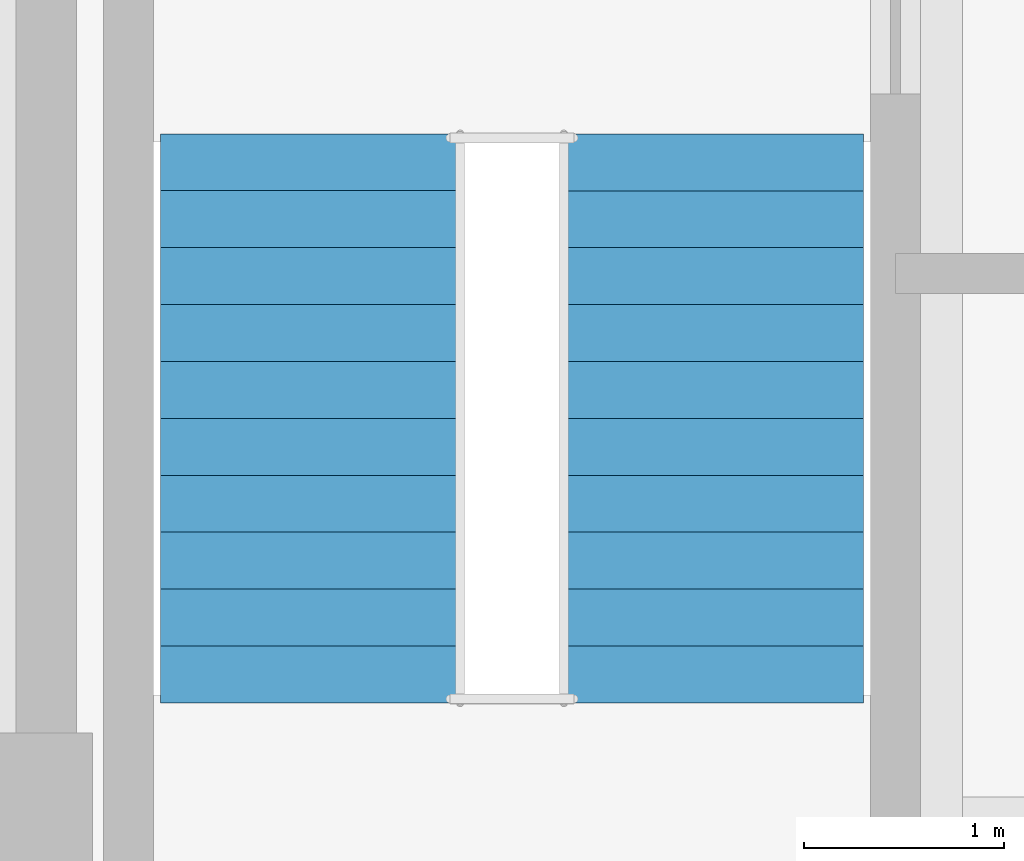
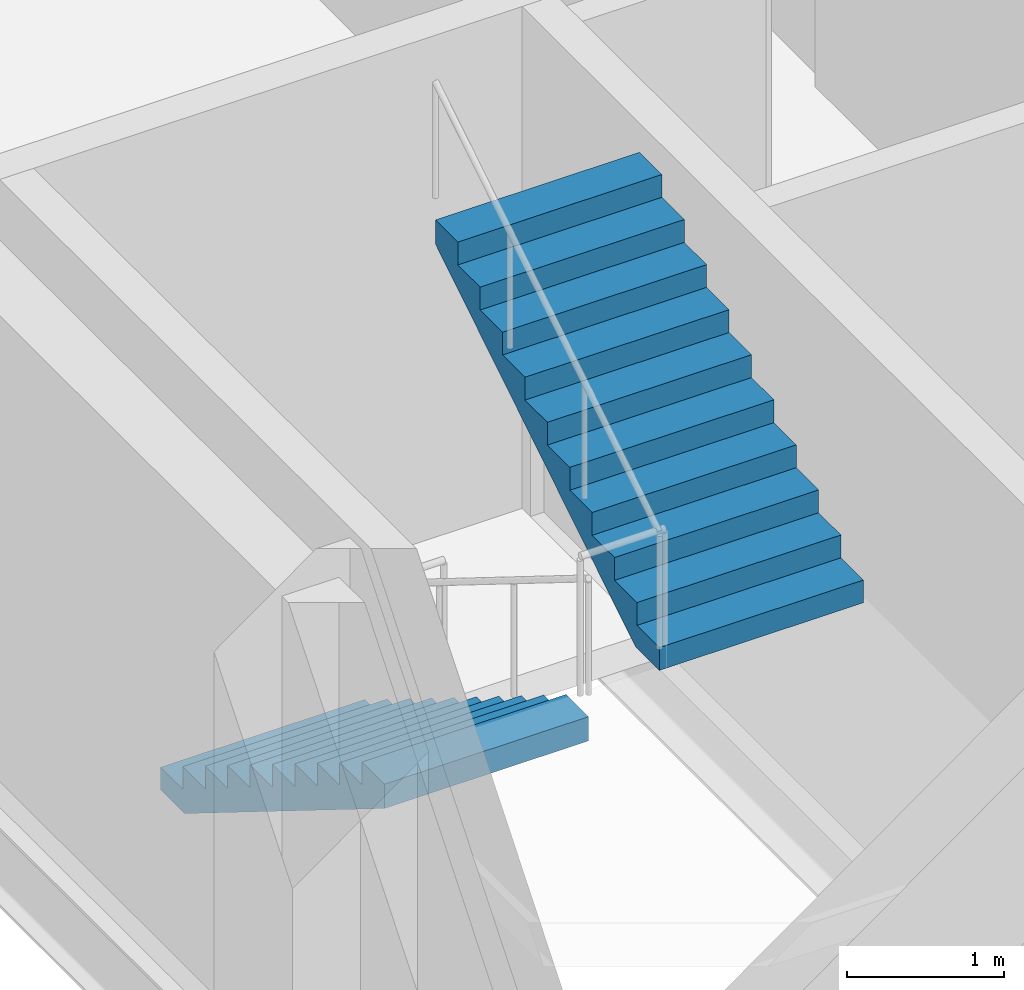
# One storey, part 6 of 7: 2 stair flights, 1 element without a shape of its own.
"""IFC4 building model written with IfcOpenShell, lengths in metres."""

from ifc_helpers import new_model, si_unit, direction, frame, origin, place, context, subcontext, project, spatial, polyline, outline, extrude, material, type_object, element, aggregate, save


model = new_model("IFC4")

# Units and contexts
model_context = context("Model", 3, precision=1e-05, world=origin(), true_north=direction((0.0, 1.0)))
body_context = subcontext(model_context, "Body", "Model", "MODEL_VIEW")
ifc_project = project(units=[si_unit("LENGTHUNIT", "METRE"), si_unit("AREAUNIT", "SQUARE_METRE"), si_unit("VOLUMEUNIT", "CUBIC_METRE"), si_unit("PLANEANGLEUNIT", "RADIAN"), si_unit("MASSUNIT", "GRAM", prefix="KILO")], contexts=[model_context])

# Site, building, storey
site_placement = place(None, origin())
site = spatial("IfcSite", under=ifc_project, at=site_placement, CompositionType="ELEMENT")
building_placement = place(site_placement, origin())
building = spatial("IfcBuilding", under=site, at=building_placement, Name="Mawjdan Bourse Tower", CompositionType="ELEMENT")
storey_placement = place(building_placement, frame((0.0, 0.0, 151.800048828125)))
storey = spatial("IfcBuildingStorey", under=building, at=storey_placement, Name="L36", CompositionType="ELEMENT", Elevation=151.800048828125)

# Stair, stair flights
ifc_material = material(Name="Concrete C50/60", Category="concrete")
stair_type = type_object("IfcStairType", Name="STR-CORE-1500", PredefinedType="HALF_TURN_STAIR", material=ifc_material)
stair_placement = place(storey_placement, origin())
stair = element("IfcStair", 1, at=stair_placement, inside=storey, type_object=stair_type, Name="L36 Exit Stair 3 (North Wing)", PredefinedType="HALF_TURN_STAIR")
stair_flight_type = type_object("IfcStairFlightType", Name="SFL-RC-1500", PredefinedType="STRAIGHT", material=ifc_material)
stair_flight_1_placement = place(storey_placement, frame((7.590087890625, 27.5, 0.0), z_axis=(0.0, 0.0, 1.0), x_axis=(0.0, -1.0, 0.0)))
stair_flight_1 = element("IfcStairFlight", 2, at=stair_flight_1_placement, type_object=stair_flight_type, Name="ST3-L36 flight 1", NumberOfRisers=11, NumberOfTreads=10, PredefinedType="STRAIGHT", RiserHeight=0.177273, TreadLength=0.285, context=body_context, shape_type="SweptSolid", body=[
    extrude(outline(polyline([(0.0, 0.0), (0.0, 0.17724609375), (0.284912109375, 0.17724609375), (0.284912109375, 0.3544921875), (0.570068359375, 0.3544921875), (0.570068359375, 0.53173828125), (0.85498046875, 0.53173828125), (0.85498046875, 0.708984375), (1.139892578125, 0.708984375), (1.139892578125, 0.886474609375), (1.425048828125, 0.886474609375), (1.425048828125, 1.063720703125), (1.7099609375, 1.063720703125), (1.7099609375, 1.240966796875), (1.9951171875, 1.240966796875), (1.9951171875, 1.418212890625), (2.280029296875, 1.418212890625), (2.280029296875, 1.595458984375), (2.56494140625, 1.595458984375), (2.56494140625, 1.772705078125), (2.85009765625, 1.772705078125), (2.85009765625, 1.949951171875), (2.85009765625, 1.58447265625), (0.302734375, 0.0), (0.0, 0.0)])), frame((0.0, 0.75, 0.0), z_axis=(0.0, -1.0, 0.0), x_axis=(1.0, 0.0, 0.0)), (0.0, 0.0, 1.0), 1.5),
])
stair_flight_2_placement = place(storey_placement, frame((9.610107421875, 24.64990234375, 1.949951171875), z_axis=(0.0, 0.0, 1.0), x_axis=(0.0, 1.0, 0.0)))
stair_flight_2 = element("IfcStairFlight", 3, at=stair_flight_2_placement, type_object=stair_flight_type, Name="ST3-L36 flight 2", NumberOfRisers=11, NumberOfTreads=10, PredefinedType="STRAIGHT", RiserHeight=0.177273, TreadLength=0.285, context=body_context, shape_type="SweptSolid", body=[
    extrude(outline(polyline([(0.0, 0.0), (0.0, 0.17724609375), (0.284912109375, 0.17724609375), (0.284912109375, 0.3544921875), (0.570068359375, 0.3544921875), (0.570068359375, 0.53173828125), (0.85498046875, 0.53173828125), (0.85498046875, 0.708984375), (1.139892578125, 0.708984375), (1.139892578125, 0.886474609375), (1.425048828125, 0.886474609375), (1.425048828125, 1.063720703125), (1.7099609375, 1.063720703125), (1.7099609375, 1.240966796875), (1.9951171875, 1.240966796875), (1.9951171875, 1.418212890625), (2.280029296875, 1.418212890625), (2.280029296875, 1.595458984375), (2.56494140625, 1.595458984375), (2.56494140625, 1.772705078125), (2.85009765625, 1.772705078125), (2.85009765625, 1.949951171875), (2.85009765625, 1.58447265625), (0.302734375, 0.0), (0.0, 0.0)])), frame((0.0, 0.75, 0.0), z_axis=(0.0, -1.0, 0.0), x_axis=(1.0, 0.0, 0.0)), (0.0, 0.0, 1.0), 1.5),
])
aggregate(stair, [stair_flight_1, stair_flight_2])

save(model, "model.ifc")
